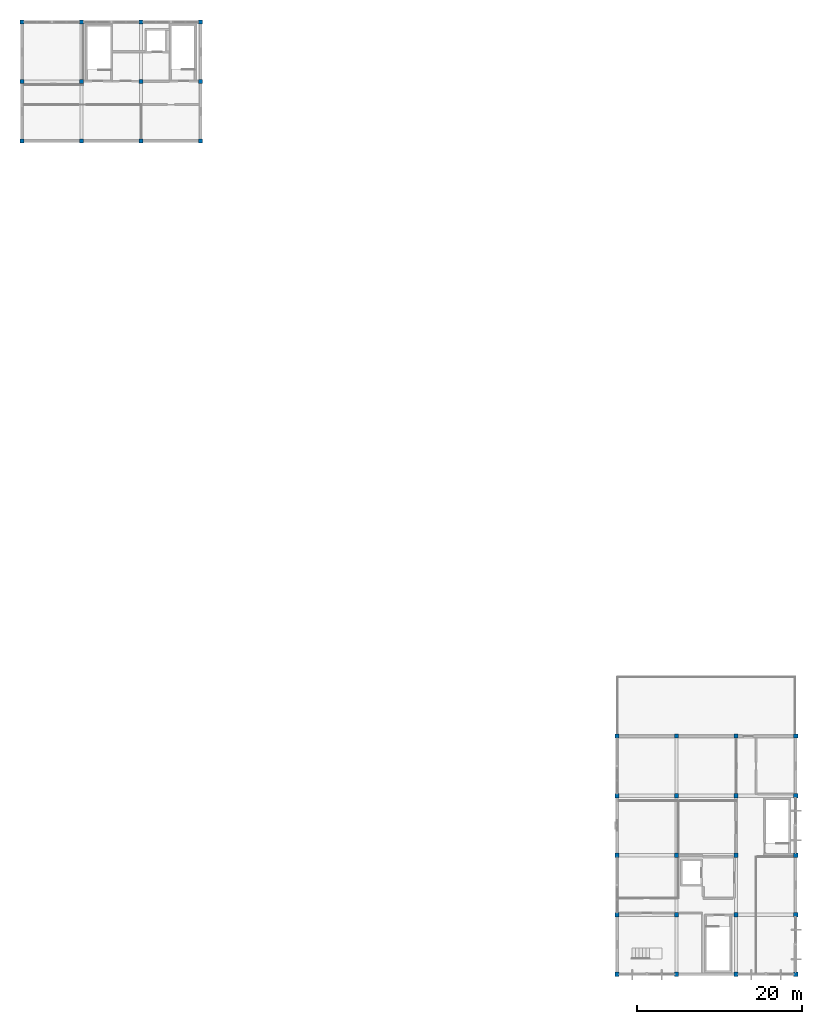
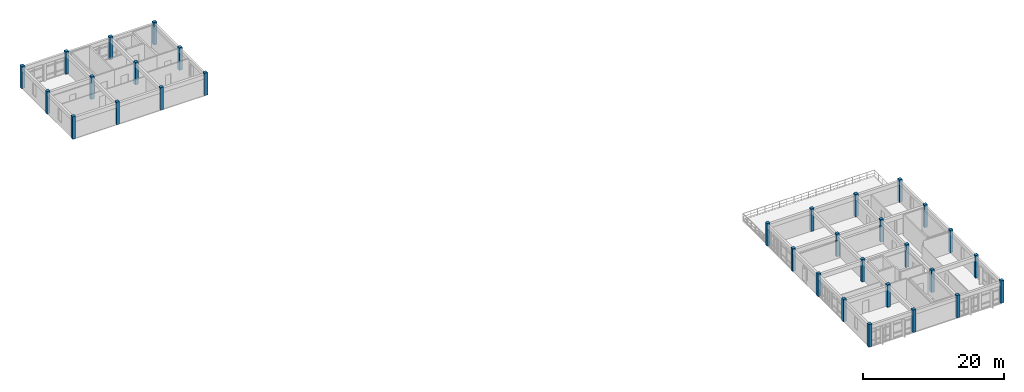
# One storey, part 1 of 14: 32 columns.
"""IFC4 building model written with IfcOpenShell, lengths in metres."""

from ifc_helpers import new_model, si_unit, direction, frame, origin, origin_2d, place, context, subcontext, project, spatial, rectangle, extrude, material, material_profile, profile_set, type_object, element, save


model = new_model("IFC4")

# Units and contexts
model_context = context("Model", 3, precision=1e-05, world=origin(), true_north=direction((0.0, 1.0)))
body_context = subcontext(model_context, "Body", "Model", "MODEL_VIEW")
ifc_project = project(units=[si_unit("LENGTHUNIT", "METRE"), si_unit("AREAUNIT", "SQUARE_METRE"), si_unit("VOLUMEUNIT", "CUBIC_METRE"), si_unit("PLANEANGLEUNIT", "RADIAN"), si_unit("MASSUNIT", "GRAM", prefix="KILO")], contexts=[model_context])

# Site, building, storey
site_placement = place(None, origin())
site = spatial("IfcSite", under=ifc_project, at=site_placement, CompositionType="ELEMENT")
building_placement = place(site_placement, origin())
building = spatial("IfcBuilding", under=site, at=building_placement, Name="Koriwan Promenade Central Fire Station", CompositionType="ELEMENT")
storey_placement = place(building_placement, frame((0.0, 0.0, 21.300048828125)))
storey = spatial("IfcBuildingStorey", under=building, at=storey_placement, Name="L05", CompositionType="ELEMENT", Elevation=21.300048828125)

# Columns
ifc_material = material(Name="Concrete C40/50", Category="concrete")
ifc_material_profile = material_profile(ifc_material, rectangle(XDim=0.5, YDim=0.5, at=origin_2d()), Name="RC-COL-500x500")
ifc_profile_set = profile_set([ifc_material_profile], Name="Concrete C40/50")
column_type = type_object("IfcColumnType", Name="Column_RC-COL-500x500", PredefinedType="COLUMN", material=ifc_profile_set)
for number, where, z_axis, x_axis, name in (
    (1, (79.199951171875, 100.800048828125, 0.0), (0.0, 0.0, 1.0), (1.0, 0.0, 0.0), "V2 L05 column (79.2, 100.8)"),
    (2, (79.199951171875, 108.0, 0.0), (0.0, 0.0, 1.0), (1.0, 0.0, 0.0), "V2 L05 column (79.2, 108.0)"),
    (3, (79.199951171875, 115.199951171875, 0.0), (0.0, 0.0, 1.0), (1.0, 0.0, 0.0), "V2 L05 column (79.2, 115.2)"),
    (4, (86.39990234375, 100.800048828125, 0.0), (0.0, 0.0, 1.0), (1.0, 0.0, 0.0), "V2 L05 column (86.4, 100.8)"),
    (5, (86.39990234375, 108.0, 0.0), (0.0, 0.0, 1.0), (1.0, 0.0, 0.0), "V2 L05 column (86.4, 108.0)"),
    (6, (86.39990234375, 115.199951171875, 0.0), (0.0, 0.0, 1.0), (1.0, 0.0, 0.0), "V2 L05 column (86.4, 115.2)"),
    (7, (93.60009765625, 100.800048828125, 0.0), (0.0, 0.0, 1.0), (1.0, 0.0, 0.0), "V2 L05 column (93.6, 100.8)"),
    (8, (93.60009765625, 108.0, 0.0), (0.0, 0.0, 1.0), (1.0, 0.0, 0.0), "V2 L05 column (93.6, 108.0)"),
    (9, (93.60009765625, 115.199951171875, 0.0), (0.0, 0.0, 1.0), (1.0, 0.0, 0.0), "V2 L05 column (93.6, 115.2)"),
    (10, (100.800048828125, 100.800048828125, 0.0), (0.0, 0.0, 1.0), (1.0, 0.0, 0.0), "V2 L05 column (100.8, 100.8)"),
    (11, (100.800048828125, 108.0, 0.0), (0.0, 0.0, 1.0), (1.0, 0.0, 0.0), "V2 L05 column (100.8, 108.0)"),
    (12, (100.800048828125, 115.199951171875, 0.0), (0.0, 0.0, 1.0), (1.0, 0.0, 0.0), "V2 L05 column (100.8, 115.2)"),
    (13, (151.199951171875, 0.0, 0.0), (0.0, 0.0, 1.0), (1.0, 0.0, 0.0), "V5 L05 column (151.2, 0.0)"),
    (14, (151.199951171875, 7.199951171875, 0.0), (0.0, 0.0, 1.0), (1.0, 0.0, 0.0), "V5 L05 column (151.2, 7.2)"),
    (15, (151.199951171875, 14.39990234375, 0.0), (0.0, 0.0, 1.0), (1.0, 0.0, 0.0), "V5 L05 column (151.2, 14.4)"),
    (16, (151.199951171875, 21.60009765625, 0.0), (0.0, 0.0, 1.0), (1.0, 0.0, 0.0), "V5 L05 column (151.2, 21.6)"),
    (17, (151.199951171875, 28.800048828125, 0.0), (0.0, 0.0, 1.0), (1.0, 0.0, 0.0), "V5 L05 column (151.2, 28.8)"),
    (18, (158.39990234375, 0.0, 0.0), (0.0, 0.0, 1.0), (1.0, 0.0, 0.0), "V5 L05 column (158.4, 0.0)"),
    (19, (158.39990234375, 7.199951171875, 0.0), (0.0, 0.0, 1.0), (1.0, 0.0, 0.0), "V5 L05 column (158.4, 7.2)"),
    (20, (158.39990234375, 14.39990234375, 0.0), (0.0, 0.0, 1.0), (1.0, 0.0, 0.0), "V5 L05 column (158.4, 14.4)"),
    (21, (158.39990234375, 21.60009765625, 0.0), (0.0, 0.0, 1.0), (1.0, 0.0, 0.0), "V5 L05 column (158.4, 21.6)"),
    (22, (158.39990234375, 28.800048828125, 0.0), (0.0, 0.0, 1.0), (1.0, 0.0, 0.0), "V5 L05 column (158.4, 28.8)"),
    (23, (165.60009765625, 0.0, 0.0), (0.0, 0.0, 1.0), (1.0, 0.0, 0.0), "V5 L05 column (165.6, 0.0)"),
    (24, (165.60009765625, 7.199951171875, 0.0), (0.0, 0.0, 1.0), (1.0, 0.0, 0.0), "V5 L05 column (165.6, 7.2)"),
    (25, (165.60009765625, 14.39990234375, 0.0), (0.0, 0.0, 1.0), (1.0, 0.0, 0.0), "V5 L05 column (165.6, 14.4)"),
    (26, (165.60009765625, 21.60009765625, 0.0), (0.0, 0.0, 1.0), (1.0, 0.0, 0.0), "V5 L05 column (165.6, 21.6)"),
    (27, (165.60009765625, 28.800048828125, 0.0), (0.0, 0.0, 1.0), (1.0, 0.0, 0.0), "V5 L05 column (165.6, 28.8)"),
    (28, (172.800048828125, 0.0, 0.0), (0.0, 0.0, 1.0), (1.0, 0.0, 0.0), "V5 L05 column (172.8, 0.0)"),
    (29, (172.800048828125, 7.199951171875, 0.0), (0.0, 0.0, 1.0), (1.0, 0.0, 0.0), "V5 L05 column (172.8, 7.2)"),
    (30, (172.800048828125, 14.39990234375, 0.0), (0.0, 0.0, 1.0), (1.0, 0.0, 0.0), "V5 L05 column (172.8, 14.4)"),
    (31, (172.800048828125, 21.60009765625, 0.0), (0.0, 0.0, 1.0), (1.0, 0.0, 0.0), "V5 L05 column (172.8, 21.6)"),
    (32, (172.800048828125, 28.800048828125, 0.0), (0.0, 0.0, 1.0), (1.0, 0.0, 0.0), "V5 L05 column (172.8, 28.8)"),
):
    element("IfcColumn", number, at=place(storey_placement, frame(where, z_axis=z_axis, x_axis=x_axis)), inside=storey, type_object=column_type, Name=name, PredefinedType="COLUMN", context=body_context, shape_type="SweptSolid", body=[
        extrude(rectangle(XDim=0.5, YDim=0.5, at=origin_2d()), origin(), (0.0, 0.0, 1.0), 3.89990234375),
    ])

save(model, "model.ifc")
